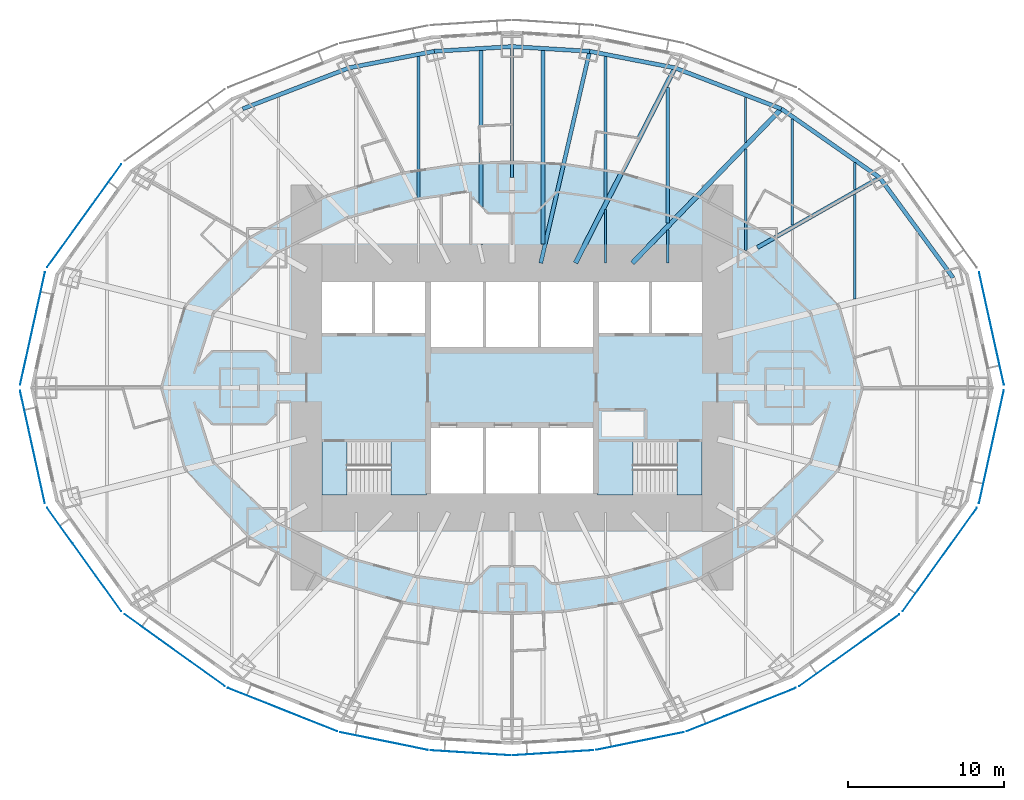
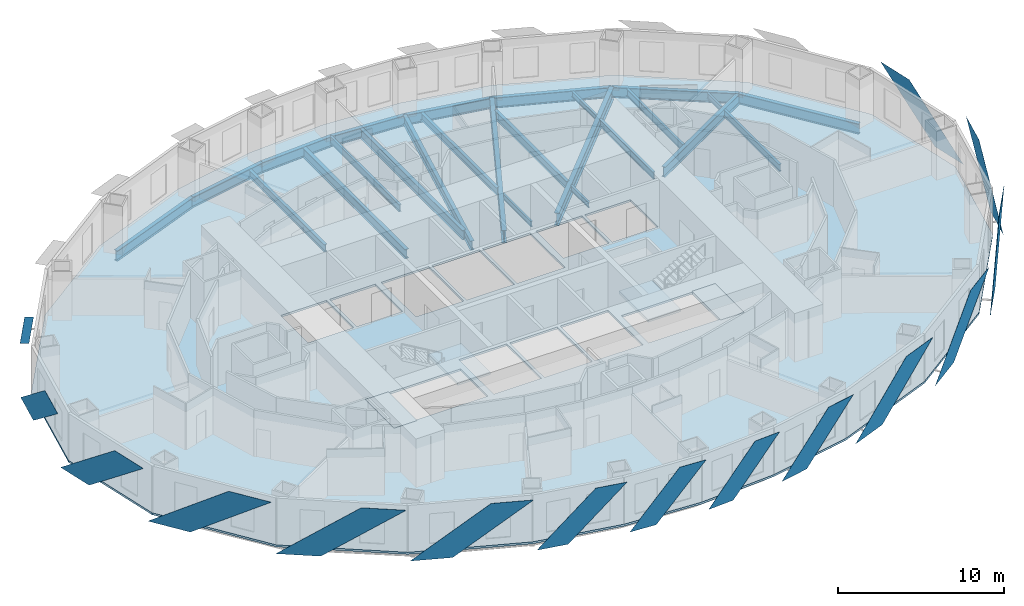
# One storey, part 3 of 15: 25 beams, 15 plates, 5 slabs, 2 elements without a shape of their own.
"""IFC4 building model written with IfcOpenShell, lengths in metres."""

from ifc_helpers import new_model, si_unit, direction, frame, origin, origin_2d, place, context, subcontext, project, spatial, polyline, i_section, outline, extrude, material, layer, layer_set, material_profile, profile_set, type_object, element, aggregate, save


model = new_model("IFC4")

# Units and contexts
model_context = context("Model", 3, precision=1e-05, world=origin(), true_north=direction((0.0, 1.0)))
body_context = subcontext(model_context, "Body", "Model", "MODEL_VIEW")
ifc_project = project(units=[si_unit("LENGTHUNIT", "METRE"), si_unit("AREAUNIT", "SQUARE_METRE"), si_unit("VOLUMEUNIT", "CUBIC_METRE"), si_unit("PLANEANGLEUNIT", "RADIAN"), si_unit("MASSUNIT", "GRAM", prefix="KILO")], contexts=[model_context])

# Site, building, storey
site_placement = place(None, origin())
site = spatial("IfcSite", under=ifc_project, at=site_placement, CompositionType="ELEMENT")
building_placement = place(site_placement, origin())
building = spatial("IfcBuilding", under=site, at=building_placement, Name="Lantaw Convention Tower", CompositionType="ELEMENT")
storey_placement = place(building_placement, frame((0.0, 0.0, 91.0)))
storey = spatial("IfcBuildingStorey", under=building, at=storey_placement, Name="L21", CompositionType="ELEMENT", Elevation=91.0)

# Beams
ifc_material_1 = material(Name="Steel ASTM A992", Category="steel")
ifc_material_profile_1 = material_profile(ifc_material_1, i_section(OverallWidth=0.2666015625, OverallDepth=0.76953125, WebThickness=0.015625, FlangeThickness=0.025390625, FilletRadius=0.0126953125, at=origin_2d()), Name="W30X132")
ifc_profile_set_1 = profile_set([ifc_material_profile_1], Name="Steel ASTM A992")
beam_type_1 = type_object("IfcBeamType", Name="Beam E W30X132", PredefinedType="SPANDREL", material=ifc_profile_set_1)
beam_1_placement = place(storey_placement, frame((28.31787109375, 7.060302734375, -0.534912109375), z_axis=(-0.591270709086, 0.806473154281, 0.0), x_axis=(-0.806473154281, -0.591270709086, 0.0)))
element("IfcBeam", 1, at=beam_1_placement, inside=storey, type_object=beam_type_1, Name="Edge beam 2", PredefinedType="SPANDREL", context=body_context, shape_type="SweptSolid", body=[
    extrude(i_section(OverallWidth=0.2666015625, OverallDepth=0.76953125, WebThickness=0.015625, FlangeThickness=0.025390625, FilletRadius=0.0126953125, at=origin_2d()), origin(), (0.0, 0.0, 1.0), 7.970703125),
])
beam_2_placement = place(storey_placement, frame((23.60498046875, 13.488525390625, -0.534912109375), z_axis=(-0.81942686407, 0.57318375277, 0.0), x_axis=(-0.57318375277, -0.81942686407, 0.0)))
element("IfcBeam", 2, at=beam_2_placement, inside=storey, type_object=beam_type_1, Name="Edge beam 3", PredefinedType="SPANDREL", context=body_context, shape_type="SweptSolid", body=[
    extrude(i_section(OverallWidth=0.2666015625, OverallDepth=0.76953125, WebThickness=0.015625, FlangeThickness=0.025390625, FilletRadius=0.0126953125, at=origin_2d()), origin(), (0.0, 0.0, 1.0), 7.70556640625),
])
beam_3_placement = place(storey_placement, frame((17.290771484375, 17.9052734375, -0.534912109375), z_axis=(-0.933232900641, 0.359271976588, 0.0), x_axis=(-0.359271976588, -0.933232900641, 0.0)))
element("IfcBeam", 3, at=beam_3_placement, inside=storey, type_object=beam_type_1, Name="Edge beam 4", PredefinedType="SPANDREL", context=body_context, shape_type="SweptSolid", body=[
    extrude(i_section(OverallWidth=0.2666015625, OverallDepth=0.76953125, WebThickness=0.015625, FlangeThickness=0.025390625, FilletRadius=0.0126953125, at=origin_2d()), origin(), (0.0, 0.0, 1.0), 7.316650390625),
])
beam_4_placement = place(storey_placement, frame((10.462646484375, 20.533935546875, -0.534912109375), z_axis=(-0.981636565323, 0.190760723474, 0.0), x_axis=(-0.190760723474, -0.981636565323, 0.0)))
element("IfcBeam", 4, at=beam_4_placement, inside=storey, type_object=beam_type_1, Name="Edge beam 5", PredefinedType="SPANDREL", context=body_context, shape_type="SweptSolid", body=[
    extrude(i_section(OverallWidth=0.2666015625, OverallDepth=0.76953125, WebThickness=0.015625, FlangeThickness=0.025390625, FilletRadius=0.0126953125, at=origin_2d()), origin(), (0.0, 0.0, 1.0), 5.578857421875),
])
for number, where, z_axis, x_axis, name in (
    (5, (4.986328125, 21.59814453125, -0.534912109375), (-0.998173858406, 0.060406526096, 0.0), (-0.060406526096, -0.998173858406, 0.0), "Edge beam 6"),
    (6, (0.0, 21.89990234375, -0.534912109375), (-0.998173858406, -0.060406526096, 0.0), (0.060406526096, -0.998173858406, 0.0), "Edge beam 7"),
):
    element("IfcBeam", number, at=place(storey_placement, frame(where, z_axis=z_axis, x_axis=x_axis)), inside=storey, type_object=beam_type_1, Name=name, PredefinedType="SPANDREL", context=body_context, shape_type="SweptSolid", body=[
        extrude(i_section(OverallWidth=0.2666015625, OverallDepth=0.76953125, WebThickness=0.015625, FlangeThickness=0.025390625, FilletRadius=0.0126953125, at=origin_2d()), origin(), (0.0, 0.0, 1.0), 4.995361328125),
    ])
beam_5_placement = place(storey_placement, frame((-4.986328125, 21.59814453125, -0.534912109375), z_axis=(-0.981636565323, -0.190760723474, 0.0), x_axis=(0.190760723474, -0.981636565323, 0.0)))
element("IfcBeam", 7, at=beam_5_placement, inside=storey, type_object=beam_type_1, Name="Edge beam 8", PredefinedType="SPANDREL", context=body_context, shape_type="SweptSolid", body=[
    extrude(i_section(OverallWidth=0.2666015625, OverallDepth=0.76953125, WebThickness=0.015625, FlangeThickness=0.025390625, FilletRadius=0.0126953125, at=origin_2d()), origin(), (0.0, 0.0, 1.0), 5.578857421875),
])
beam_6_placement = place(storey_placement, frame((-10.462646484375, 20.533935546875, -0.534912109375), z_axis=(-0.933232900641, -0.359271976588, 0.0), x_axis=(0.359271976588, -0.933232900641, 0.0)))
element("IfcBeam", 8, at=beam_6_placement, inside=storey, type_object=beam_type_1, Name="Edge beam 9", PredefinedType="SPANDREL", context=body_context, shape_type="SweptSolid", body=[
    extrude(i_section(OverallWidth=0.2666015625, OverallDepth=0.76953125, WebThickness=0.015625, FlangeThickness=0.025390625, FilletRadius=0.0126953125, at=origin_2d()), origin(), (0.0, 0.0, 1.0), 7.316650390625),
])
ifc_material_profile_2 = material_profile(ifc_material_1, i_section(OverallWidth=0.1650390625, OverallDepth=0.52587890625, WebThickness=0.0087890625, FlangeThickness=0.011474609375, FilletRadius=0.0126953125, at=origin_2d()), Name="W21X44")
ifc_profile_set_2 = profile_set([ifc_material_profile_2], Name="Steel ASTM A992")
beam_type_2 = type_object("IfcBeamType", Name="Beam G W21X44", PredefinedType="BEAM", material=ifc_profile_set_2)
beam_7_placement = place(storey_placement, frame((0.0, 13.5, -0.412841796875), z_axis=(0.0, 1.0, 0.0), x_axis=(-1.0, 0.0, 0.0)))
element("IfcBeam", 9, at=beam_7_placement, inside=storey, type_object=beam_type_2, Name="Floor girder on ray 7", PredefinedType="BEAM", context=body_context, shape_type="SweptSolid", body=[
    extrude(i_section(OverallWidth=0.1650390625, OverallDepth=0.52587890625, WebThickness=0.0087890625, FlangeThickness=0.011474609375, FilletRadius=0.0126953125, at=origin_2d()), origin(), (0.0, 0.0, 1.0), 8.39990234375),
])
ifc_material_profile_3 = material_profile(ifc_material_1, i_section(OverallWidth=0.25390625, OverallDepth=0.683349609375, WebThickness=0.012451171875, FlangeThickness=0.01904296875, FilletRadius=0.01513671875, at=origin_2d()), Name="W27X94")
ifc_profile_set_3 = profile_set([ifc_material_profile_3], Name="Steel ASTM A992")
beam_type_3 = type_object("IfcBeamType", Name="Beam G W27X94", PredefinedType="BEAM", material=ifc_profile_set_3)
beam_8_placement = place(storey_placement, frame((1.846923828125, 8.0, -0.49169921875), z_axis=(0.224952773175, 0.97436966796, 0.0), x_axis=(-0.97436966796, 0.224952773175, 0.0)))
element("IfcBeam", 10, at=beam_8_placement, inside=storey, type_object=beam_type_3, Name="Floor girder on ray 6", PredefinedType="BEAM", context=body_context, shape_type="SweptSolid", body=[
    extrude(i_section(OverallWidth=0.25390625, OverallDepth=0.683349609375, WebThickness=0.012451171875, FlangeThickness=0.01904296875, FilletRadius=0.01513671875, at=origin_2d()), origin(), (0.0, 0.0, 1.0), 13.955810546875),
])
ifc_material_profile_4 = material_profile(ifc_material_1, i_section(OverallWidth=0.2666015625, OverallDepth=0.7568359375, WebThickness=0.013916015625, FlangeThickness=0.019287109375, FilletRadius=0.0126953125, at=origin_2d()), Name="W30X108")
ifc_profile_set_4 = profile_set([ifc_material_profile_4], Name="Steel ASTM A992")
beam_type_4 = type_object("IfcBeamType", Name="Beam G W30X108", PredefinedType="BEAM", material=ifc_profile_set_4)
beam_9_placement = place(storey_placement, frame((15.75, 9.0, -0.528564453125), z_axis=(0.868244802791, 0.496136032179, 0.0), x_axis=(-0.496136032179, 0.868244802791, 0.0)))
element("IfcBeam", 11, at=beam_9_placement, inside=storey, type_object=beam_type_4, Name="Floor girder on ray 3", PredefinedType="BEAM", context=body_context, shape_type="SweptSolid", body=[
    extrude(i_section(OverallWidth=0.2666015625, OverallDepth=0.7568359375, WebThickness=0.013916015625, FlangeThickness=0.019287109375, FilletRadius=0.0126953125, at=origin_2d()), origin(), (0.0, 0.0, 1.0), 9.046875),
])
ifc_material_profile_5 = material_profile(ifc_material_1, i_section(OverallWidth=0.307373046875, OverallDepth=0.922119140625, WebThickness=0.018310546875, FlangeThickness=0.030029296875, FilletRadius=0.0126953125, at=origin_2d()), Name="W36X182")
ifc_profile_set_5 = profile_set([ifc_material_profile_5], Name="Steel ASTM A992")
beam_type_5 = type_object("IfcBeamType", Name="Beam G W36X182", PredefinedType="BEAM", material=ifc_profile_set_5)
beam_10_placement = place(storey_placement, frame((7.7255859375, 8.0, -0.611083984375), z_axis=(0.694649884291, 0.719347995239, 0.0), x_axis=(-0.719347995239, 0.694649884291, 0.0)))
element("IfcBeam", 12, at=beam_10_placement, inside=storey, type_object=beam_type_5, Name="Floor girder on ray 4", PredefinedType="BEAM", context=body_context, shape_type="SweptSolid", body=[
    extrude(i_section(OverallWidth=0.307373046875, OverallDepth=0.922119140625, WebThickness=0.018310546875, FlangeThickness=0.030029296875, FilletRadius=0.0126953125, at=origin_2d()), origin(), (0.0, 0.0, 1.0), 13.769775390625),
])
beam_11_placement = place(storey_placement, frame((4.076171875, 8.0, -0.611083984375), z_axis=(0.453997016122, 0.891003203896, 0.0), x_axis=(-0.891003203896, 0.453997016122, 0.0)))
element("IfcBeam", 13, at=beam_11_placement, inside=storey, type_object=beam_type_5, Name="Floor girder on ray 5", PredefinedType="BEAM", context=body_context, shape_type="SweptSolid", body=[
    extrude(i_section(OverallWidth=0.307373046875, OverallDepth=0.922119140625, WebThickness=0.018310546875, FlangeThickness=0.030029296875, FilletRadius=0.0126953125, at=origin_2d()), origin(), (0.0, 0.0, 1.0), 14.067138671875),
])
ifc_material_profile_6 = material_profile(ifc_material_1, i_section(OverallWidth=0.140380859375, OverallDepth=0.40380859375, WebThickness=0.007080078125, FlangeThickness=0.01123046875, FilletRadius=0.01025390625, at=origin_2d()), Name="W16X31")
ifc_profile_set_6 = profile_set([ifc_material_profile_6], Name="Steel ASTM A992")
beam_type_6 = type_object("IfcBeamType", Name="Beam J W16X31", PredefinedType="JOIST", material=ifc_profile_set_6)
beam_12_placement = place(storey_placement, frame((6.0, 8.0, -0.35205078125), z_axis=(0.0, 1.0, 0.0), x_axis=(-1.0, 0.0, 0.0)))
element("IfcBeam", 14, at=beam_12_placement, inside=storey, type_object=beam_type_6, Name="Floor joist", PredefinedType="JOIST", context=body_context, shape_type="SweptSolid", body=[
    extrude(i_section(OverallWidth=0.140380859375, OverallDepth=0.40380859375, WebThickness=0.007080078125, FlangeThickness=0.01123046875, FilletRadius=0.01025390625, at=origin_2d()), origin(), (0.0, 0.0, 1.0), 3.437255859375),
])
beam_13_placement = place(storey_placement, frame((10.0, 8.0, -0.35205078125), z_axis=(0.0, 1.0, 0.0), x_axis=(-1.0, 0.0, 0.0)))
element("IfcBeam", 15, at=beam_13_placement, inside=storey, type_object=beam_type_6, Name="Floor joist", PredefinedType="JOIST", context=body_context, shape_type="SweptSolid", body=[
    extrude(i_section(OverallWidth=0.140380859375, OverallDepth=0.40380859375, WebThickness=0.007080078125, FlangeThickness=0.01123046875, FilletRadius=0.01025390625, at=origin_2d()), origin(), (0.0, 0.0, 1.0), 2.134033203125),
])
beam_14_placement = place(storey_placement, frame((15.0, 15.754150390625, -0.35205078125), z_axis=(0.0, 1.0, 0.0), x_axis=(-1.0, 0.0, 0.0)))
element("IfcBeam", 16, at=beam_14_placement, inside=storey, type_object=beam_type_6, Name="Floor joist", PredefinedType="JOIST", context=body_context, shape_type="SweptSolid", body=[
    extrude(i_section(OverallWidth=0.140380859375, OverallDepth=0.40380859375, WebThickness=0.007080078125, FlangeThickness=0.01123046875, FilletRadius=0.01025390625, at=origin_2d()), origin(), (0.0, 0.0, 1.0), 2.89013671875),
])
beam_15_placement = place(storey_placement, frame((22.0, 12.72509765625, -0.35205078125), z_axis=(0.0, 1.0, 0.0), x_axis=(-1.0, 0.0, 0.0)))
element("IfcBeam", 17, at=beam_15_placement, inside=storey, type_object=beam_type_6, Name="Floor joist", PredefinedType="JOIST", context=body_context, shape_type="SweptSolid", body=[
    extrude(i_section(OverallWidth=0.140380859375, OverallDepth=0.40380859375, WebThickness=0.007080078125, FlangeThickness=0.01123046875, FilletRadius=0.01025390625, at=origin_2d()), origin(), (0.0, 0.0, 1.0), 1.723388671875),
])
ifc_material_profile_7 = material_profile(ifc_material_1, i_section(OverallWidth=0.1650390625, OverallDepth=0.52587890625, WebThickness=0.0087890625, FlangeThickness=0.011474609375, FilletRadius=0.0126953125, at=origin_2d()), Name="W21X44")
ifc_profile_set_7 = profile_set([ifc_material_profile_7], Name="Steel ASTM A992")
beam_type_7 = type_object("IfcBeamType", Name="Beam J W21X44", PredefinedType="JOIST", material=ifc_profile_set_7)
beam_16_placement = place(storey_placement, frame((15.0, 8.803955078125, -0.412841796875), z_axis=(0.0, 1.0, 0.0), x_axis=(-1.0, 0.0, 0.0)))
element("IfcBeam", 18, at=beam_16_placement, inside=storey, type_object=beam_type_7, Name="Floor joist", PredefinedType="JOIST", context=body_context, shape_type="SweptSolid", body=[
    extrude(i_section(OverallWidth=0.1650390625, OverallDepth=0.52587890625, WebThickness=0.0087890625, FlangeThickness=0.011474609375, FilletRadius=0.0126953125, at=origin_2d()), origin(), (0.0, 0.0, 1.0), 6.5078125),
])
beam_17_placement = place(storey_placement, frame((18.0, 10.439208984375, -0.412841796875), z_axis=(0.0, 1.0, 0.0), x_axis=(-1.0, 0.0, 0.0)))
element("IfcBeam", 19, at=beam_17_placement, inside=storey, type_object=beam_type_7, Name="Floor joist", PredefinedType="JOIST", context=body_context, shape_type="SweptSolid", body=[
    extrude(i_section(OverallWidth=0.1650390625, OverallDepth=0.52587890625, WebThickness=0.0087890625, FlangeThickness=0.011474609375, FilletRadius=0.0126953125, at=origin_2d()), origin(), (0.0, 0.0, 1.0), 6.80712890625),
])
beam_18_placement = place(storey_placement, frame((22.0, 5.693359375, -0.412841796875), z_axis=(0.0, 1.0, 0.0), x_axis=(-1.0, 0.0, 0.0)))
element("IfcBeam", 20, at=beam_18_placement, inside=storey, type_object=beam_type_7, Name="Floor joist", PredefinedType="JOIST", context=body_context, shape_type="SweptSolid", body=[
    extrude(i_section(OverallWidth=0.1650390625, OverallDepth=0.52587890625, WebThickness=0.0087890625, FlangeThickness=0.011474609375, FilletRadius=0.0126953125, at=origin_2d()), origin(), (0.0, 0.0, 1.0), 6.724609375),
])
ifc_material_profile_8 = material_profile(ifc_material_1, i_section(OverallWidth=0.2099609375, OverallDepth=0.535888671875, WebThickness=0.010986328125, FlangeThickness=0.017333984375, FilletRadius=0.012939453125, at=origin_2d()), Name="W21X68")
ifc_profile_set_8 = profile_set([ifc_material_profile_8], Name="Steel ASTM A992")
beam_type_8 = type_object("IfcBeamType", Name="Beam J W21X68", PredefinedType="JOIST", material=ifc_profile_set_8)
for number, where, z_axis, x_axis, name in (
    (21, (-6.0, 12.1142578125, -0.41796875), (0.0, 1.0, 0.0), (-1.0, 0.0, 0.0), "Floor joist"),
    (22, (6.0, 12.1142578125, -0.41796875), (0.0, 1.0, 0.0), (-1.0, 0.0, 0.0), "Floor joist"),
):
    element("IfcBeam", number, at=place(storey_placement, frame(where, z_axis=z_axis, x_axis=x_axis)), inside=storey, type_object=beam_type_8, Name=name, PredefinedType="JOIST", context=body_context, shape_type="SweptSolid", body=[
        extrude(i_section(OverallWidth=0.2099609375, OverallDepth=0.535888671875, WebThickness=0.010986328125, FlangeThickness=0.017333984375, FilletRadius=0.012939453125, at=origin_2d()), origin(), (0.0, 0.0, 1.0), 9.15087890625),
    ])
ifc_material_profile_9 = material_profile(ifc_material_1, i_section(OverallWidth=0.227783203125, OverallDepth=0.60205078125, WebThickness=0.010498046875, FlangeThickness=0.014892578125, FilletRadius=0.012939453125, at=origin_2d()), Name="W24X68")
ifc_profile_set_9 = profile_set([ifc_material_profile_9], Name="Steel ASTM A992")
beam_type_9 = type_object("IfcBeamType", Name="Beam J W24X68", PredefinedType="JOIST", material=ifc_profile_set_9)
beam_19_placement = place(storey_placement, frame((10.0, 10.576416015625, -0.450927734375), z_axis=(0.0, 1.0, 0.0), x_axis=(-1.0, 0.0, 0.0)))
element("IfcBeam", 23, at=beam_19_placement, inside=storey, type_object=beam_type_9, Name="Floor joist", PredefinedType="JOIST", context=body_context, shape_type="SweptSolid", body=[
    extrude(i_section(OverallWidth=0.227783203125, OverallDepth=0.60205078125, WebThickness=0.010498046875, FlangeThickness=0.014892578125, FilletRadius=0.012939453125, at=origin_2d()), origin(), (0.0, 0.0, 1.0), 8.711181640625),
])
ifc_material_profile_10 = material_profile(ifc_material_1, i_section(OverallWidth=0.25390625, OverallDepth=0.700927734375, WebThickness=0.015380859375, FlangeThickness=0.02783203125, FilletRadius=0.01513671875, at=origin_2d()), Name="W27X129")
ifc_profile_set_10 = profile_set([ifc_material_profile_10], Name="Steel ASTM A992")
beam_type_10 = type_object("IfcBeamType", Name="Beam J W27X129", PredefinedType="JOIST", material=ifc_profile_set_10)
for number, where, z_axis, x_axis, name in (
    (24, (-2.0, 9.2275390625, -0.50048828125), (0.0, 1.0, 0.0), (-1.0, 0.0, 0.0), "Floor joist"),
    (25, (2.0, 9.2275390625, -0.50048828125), (0.0, 1.0, 0.0), (-1.0, 0.0, 0.0), "Floor joist"),
):
    element("IfcBeam", number, at=place(storey_placement, frame(where, z_axis=z_axis, x_axis=x_axis)), inside=storey, type_object=beam_type_10, Name=name, PredefinedType="JOIST", context=body_context, shape_type="SweptSolid", body=[
        extrude(i_section(OverallWidth=0.25390625, OverallDepth=0.700927734375, WebThickness=0.015380859375, FlangeThickness=0.02783203125, FilletRadius=0.01513671875, at=origin_2d()), origin(), (0.0, 0.0, 1.0), 12.417724609375),
    ])

# Slab
ifc_material_2 = material(Name="Concrete C35/45", Category="concrete")
ifc_layer_1 = layer(ifc_material_2, 0.14990234375)
ifc_layer_set_1 = layer_set([ifc_layer_1], Name="Floor slab 150")
slab_type_1 = type_object("IfcSlabType", Name="Floor slab 150", PredefinedType="FLOOR", material=ifc_layer_set_1)
slab_1_placement = place(storey_placement, frame((0.0, 0.0, -0.14990234375)))
element("IfcSlab", 26, at=slab_1_placement, inside=storey, type_object=slab_type_1, Name="L21 floor slab", PredefinedType="FLOOR", context=body_context, shape_type="SweptSolid", body=[
    extrude(outline(polyline([(29.315185546875, -7.29541015625), (30.923095703125, 0.0), (29.315185546875, 7.29541015625), (24.50634765625, 13.98046875), (18.018798828125, 18.630126953125), (10.9404296875, 21.44189453125), (5.223876953125, 22.59521484375), (0.0, 22.9248046875), (-5.223876953125, 22.59521484375), (-10.9404296875, 21.44189453125), (-18.018798828125, 18.630126953125), (-24.50634765625, 13.98046875), (-29.315185546875, 7.29541015625), (-30.923095703125, 0.0), (-29.315185546875, -7.29541015625), (-24.50634765625, -13.98046875), (-18.018798828125, -18.630126953125), (-10.9404296875, -21.44189453125), (-5.223876953125, -22.59521484375), (0.0, -22.9248046875), (5.223876953125, -22.59521484375), (10.9404296875, -21.44189453125), (18.018798828125, -18.630126953125), (24.50634765625, -13.98046875), (29.315185546875, -7.29541015625)]), holes=[polyline([(-5.60009765625, -3.5), (-12.199951171875, -3.5), (-12.199951171875, -6.800048828125), (-5.60009765625, -6.800048828125), (-5.60009765625, -3.5)]), polyline([(-1.86669921875, -6.800048828125), (-1.86669921875, -2.60009765625), (-5.199951171875, -2.60009765625), (-5.199951171875, -6.800048828125), (-1.86669921875, -6.800048828125)]), polyline([(-1.86669921875, 2.60009765625), (-1.86669921875, 6.800048828125), (-5.199951171875, 6.800048828125), (-5.199951171875, 2.60009765625), (-1.86669921875, 2.60009765625)]), polyline([(1.666748046875, 6.800048828125), (-1.666748046875, 6.800048828125), (-1.666748046875, 2.60009765625), (1.666748046875, 2.60009765625), (1.666748046875, 6.800048828125)]), polyline([(-9.0, 3.5), (-9.0, 6.800048828125), (-12.199951171875, 6.800048828125), (-12.199951171875, 3.5), (-9.0, 3.5)]), polyline([(-5.60009765625, 3.5), (-5.60009765625, 6.800048828125), (-8.800048828125, 6.800048828125), (-8.800048828125, 3.5), (-5.60009765625, 3.5)]), polyline([(12.199951171875, -3.5), (5.60009765625, -3.5), (5.60009765625, -6.800048828125), (12.199951171875, -6.800048828125), (12.199951171875, -3.5)]), polyline([(1.666748046875, -6.800048828125), (1.666748046875, -2.60009765625), (-1.666748046875, -2.60009765625), (-1.666748046875, -6.800048828125), (1.666748046875, -6.800048828125)]), polyline([(5.199951171875, -6.800048828125), (5.199951171875, -2.60009765625), (1.86669921875, -2.60009765625), (1.86669921875, -6.800048828125), (5.199951171875, -6.800048828125)]), polyline([(5.199951171875, 6.800048828125), (1.86669921875, 6.800048828125), (1.86669921875, 2.60009765625), (5.199951171875, 2.60009765625), (5.199951171875, 6.800048828125)]), polyline([(8.800048828125, 3.5), (8.800048828125, 6.800048828125), (5.60009765625, 6.800048828125), (5.60009765625, 3.5), (8.800048828125, 3.5)]), polyline([(12.199951171875, 3.5), (12.199951171875, 6.800048828125), (9.0, 6.800048828125), (9.0, 3.5), (12.199951171875, 3.5)])]), origin(), (0.0, 0.0, 1.0), 0.14990234375),
])

# Plates
ifc_material_3 = material(Name="Perforated aluminium sheet, pale silver finish", Category="aluminium")
ifc_layer_2 = layer(ifc_material_3, 0.006103515625)
ifc_layer_set_2 = layer_set([ifc_layer_2], Name="Perforated aluminium solar SCREEN panel")
plate_type = type_object("IfcPlateType", Name="Perforated aluminium solar SCREEN panel", PredefinedType="SHEET", material=ifc_layer_set_2)
plate_1_placement = place(storey_placement, frame((31.5810546875, 0.17919921875, -0.175048828125), z_axis=(-0.97655943558, -0.215247921852, 3.0295023e-05), x_axis=(-0.215247921951, 0.976559436028, 3.12e-10)))
element("IfcPlate", 27, at=plate_1_placement, inside=storey, type_object=plate_type, Name="Solar SCREEN panel", PredefinedType="SHEET", context=body_context, shape_type="SweptSolid", body=[
    extrude(outline(polyline([(0.0, 0.0), (2.551002212329069, 3.3881317890172014e-21), (7.402498252985418, -3.739990233781388), (4.851734458487411, -3.7399902353733405), (0.0, 0.0)])), origin(), (0.0, 0.0, -1.0), 0.006103515625),
])
plate_2_placement = place(storey_placement, frame((-25.0810546875, 14.34765625, -0.175048828125), z_axis=(0.811791382613, -0.583947558463, 9.019268e-06), x_axis=(-0.583947558486, -0.811791382646, 0.0)))
element("IfcPlate", 28, at=plate_2_placement, inside=storey, type_object=plate_type, Name="Solar SCREEN panel", PredefinedType="SHEET", context=body_context, shape_type="SweptSolid", body=[
    extrude(outline(polyline([(0.0, 0.0), (2.809541672291133, 0.0), (8.163093158837512, -3.739990234527119), (5.353551486546379, -3.739990234527119), (0.0, 0.0)])), origin(), (0.0, 0.0, -1.0), 0.006103515625),
])
plate_3_placement = place(storey_placement, frame((-29.98779296875, 7.408203125, -0.175048828125), z_axis=(-0.97655943558, 0.215247921852, 3.0295023e-05), x_axis=(-0.215247921951, -0.976559436028, -3.12e-10)))
element("IfcPlate", 29, at=plate_3_placement, inside=storey, type_object=plate_type, Name="Solar SCREEN panel", PredefinedType="SHEET", context=body_context, shape_type="SweptSolid", body=[
    extrude(outline(polyline([(0.0, 0.0), (2.5507637944980077, 6.776263578034403e-21), (7.402498250651261, 3.7399902384013473), (4.851496038322192, 3.739990236809246), (0.0, 0.0)])), origin(), (0.0, 0.0, -1.0), 0.006103515625),
])
plate_4_placement = place(storey_placement, frame((-31.5810546875, -0.17919921875, -0.175048828125), z_axis=(0.97655943558, 0.215247921852, 3.0295023e-05), x_axis=(0.215247921951, -0.976559436028, 3.12e-10)))
element("IfcPlate", 30, at=plate_4_placement, inside=storey, type_object=plate_type, Name="Solar SCREEN panel", PredefinedType="SHEET", context=body_context, shape_type="SweptSolid", body=[
    extrude(outline(polyline([(0.0, 0.0), (2.551002212329069, 3.3881317890172014e-21), (7.402498252985418, -3.739990233781388), (4.851734458487411, -3.7399902353733405), (0.0, 0.0)])), origin(), (0.0, 0.0, -1.0), 0.006103515625),
])
plate_5_placement = place(storey_placement, frame((-29.847900390625, -7.720947265625, -0.175048828125), z_axis=(-0.811791382613, -0.583947558463, 9.019268e-06), x_axis=(0.583947558486, -0.811791382646, 0.0)))
element("IfcPlate", 31, at=plate_5_placement, inside=storey, type_object=plate_type, Name="Solar SCREEN panel", PredefinedType="SHEET", context=body_context, shape_type="SweptSolid", body=[
    extrude(outline(polyline([(0.0, 0.0), (2.809541672291133, 0.0), (8.163093158837512, 3.739990234527119), (5.353551486546379, 3.739990234527119), (0.0, 0.0)])), origin(), (0.0, 0.0, -1.0), 0.006103515625),
])
plate_6_placement = place(storey_placement, frame((-24.872314453125, -14.555908203125, -0.175048828125), z_axis=(-0.582561421998, -0.812786681331, 1.5819417e-05), x_axis=(0.812786681433, -0.582561422071, 0.0)))
element("IfcPlate", 32, at=plate_6_placement, inside=storey, type_object=plate_type, Name="Solar SCREEN panel", PredefinedType="SHEET", context=body_context, shape_type="SweptSolid", body=[
    extrude(outline(polyline([(0.0, 0.0), (2.721095180812288, 3.3881317890172014e-21), (7.903118572410756, 3.739990234842974), (5.182023391598468, 3.739990234842974), (0.0, 0.0)])), origin(), (0.0, 0.0, -1.0), 0.006103515625),
])
plate_7_placement = place(storey_placement, frame((-18.232177734375, -19.278076171875, -0.175048828125), z_axis=(0.369183532846, 0.929356508016, 9.163296e-06), x_axis=(0.929356508055, -0.369183532862, 0.0)))
element("IfcPlate", 33, at=plate_7_placement, inside=storey, type_object=plate_type, Name="Solar SCREEN panel", PredefinedType="SHEET", context=body_context, shape_type="SweptSolid", body=[
    extrude(outline(polyline([(0.0, 0.0), (2.594936467166582, -1.6940658945086007e-21), (7.5321069917580825, -3.739990234532016), (4.937170524591499, -3.739990234532016), (0.0, 0.0)])), origin(), (0.0, 0.0, -1.0), 0.006103515625),
])
plate_8_placement = place(storey_placement, frame((-11.03271484375, -22.117919921875, -0.175048828125), z_axis=(0.197781876197, 0.980246055561, 2.418535e-06), x_axis=(0.980246055563, -0.197781876198, 1.46e-10)))
element("IfcPlate", 34, at=plate_8_placement, inside=storey, type_object=plate_type, Name="Solar SCREEN panel", PredefinedType="SHEET", context=body_context, shape_type="SweptSolid", body=[
    extrude(outline(polyline([(0.0, 0.0), (1.9867801772236329, -3.1763735522036263e-22), (5.743587245978565, -3.7399902335493134), (3.7568553553458006, -3.739990234128105), (0.0, 0.0)])), origin(), (0.0, 0.0, -1.0), 0.006103515625),
])
plate_9_placement = place(storey_placement, frame((-5.221923828125, -23.27783203125, -0.175048828125), z_axis=(0.062923905251, 0.998018327468, 1.3605496e-05), x_axis=(0.998018327561, -0.062923905257, 9.3e-10)))
element("IfcPlate", 35, at=plate_9_placement, inside=storey, type_object=plate_type, Name="Solar SCREEN panel", PredefinedType="SHEET", context=body_context, shape_type="SweptSolid", body=[
    extrude(outline(polyline([(0.0, 0.0), (1.7828375409377817, -2.117582368135751e-22), (5.143985963027618, -3.739990229938699), (3.3611637843713935, -3.7399902332537565), (0.0, 0.0)])), origin(), (0.0, 0.0, -1.0), 0.006103515625),
])
plate_10_placement = place(storey_placement, frame((0.088134765625, -23.6015625, -0.175048828125), z_axis=(0.062923905251, -0.998018327468, 1.3605496e-05), x_axis=(0.998018327561, 0.062923905257, -9.3e-10)))
element("IfcPlate", 36, at=plate_10_placement, inside=storey, type_object=plate_type, Name="Solar SCREEN panel", PredefinedType="SHEET", context=body_context, shape_type="SweptSolid", body=[
    extrude(outline(polyline([(0.0, 0.0), (1.782822178656225, -2.117582368135751e-22), (5.143985956073316, 3.7399902395036517), (3.3611484151355353, 3.7399902361885653), (0.0, 0.0)])), origin(), (0.0, 0.0, -1.0), 0.006103515625),
])
plate_11_placement = place(storey_placement, frame((5.402587890625, -23.25390625, -0.175048828125), z_axis=(0.197781876197, -0.980246055561, 2.418535e-06), x_axis=(0.980246055563, 0.197781876198, -1.46e-10)))
element("IfcPlate", 37, at=plate_11_placement, inside=storey, type_object=plate_type, Name="Solar SCREEN panel", PredefinedType="SHEET", context=body_context, shape_type="SweptSolid", body=[
    extrude(outline(polyline([(0.0, 0.0), (1.9867318906327642, 1.0587911840678754e-22), (5.743587244888999, 3.7399902352225842), (3.7568070676653664, 3.7399902346437783), (0.0, 0.0)])), origin(), (0.0, 0.0, -1.0), 0.006103515625),
])
plate_12_placement = place(storey_placement, frame((11.232177734375, -22.058837890625, -0.175048828125), z_axis=(0.369183532846, -0.929356508016, 9.163296e-06), x_axis=(0.929356508055, 0.369183532862, 0.0)))
element("IfcPlate", 38, at=plate_12_placement, inside=storey, type_object=plate_type, Name="Solar SCREEN panel", PredefinedType="SHEET", context=body_context, shape_type="SweptSolid", body=[
    extrude(outline(polyline([(0.0, 0.0), (2.594936467166582, 1.6940658945086007e-21), (7.5321069917580825, 3.739990234532016), (4.937170524591499, 3.739990234532016), (0.0, 0.0)])), origin(), (0.0, 0.0, -1.0), 0.006103515625),
])
plate_13_placement = place(storey_placement, frame((18.44873046875, -19.159912109375, -0.175048828125), z_axis=(-0.582561421998, 0.812786681331, 1.5819417e-05), x_axis=(0.812786681433, 0.582561422071, 0.0)))
element("IfcPlate", 39, at=plate_13_placement, inside=storey, type_object=plate_type, Name="Solar SCREEN panel", PredefinedType="SHEET", context=body_context, shape_type="SweptSolid", body=[
    extrude(outline(polyline([(0.0, 0.0), (2.721095180812288, -3.3881317890172014e-21), (7.903118572410756, -3.739990234842974), (5.182023391598468, -3.739990234842974), (0.0, 0.0)])), origin(), (0.0, 0.0, -1.0), 0.006103515625),
])
plate_14_placement = place(storey_placement, frame((25.0810546875, -14.34765625, -0.175048828125), z_axis=(-0.811791382613, 0.583947558463, 9.019268e-06), x_axis=(0.583947558486, 0.811791382646, 0.0)))
element("IfcPlate", 40, at=plate_14_placement, inside=storey, type_object=plate_type, Name="Solar SCREEN panel", PredefinedType="SHEET", context=body_context, shape_type="SweptSolid", body=[
    extrude(outline(polyline([(0.0, 0.0), (2.809541672291133, 0.0), (8.163093158837512, -3.739990234527119), (5.353551486546379, -3.739990234527119), (0.0, 0.0)])), origin(), (0.0, 0.0, -1.0), 0.006103515625),
])
plate_15_placement = place(storey_placement, frame((29.98779296875, -7.408203125, -0.175048828125), z_axis=(0.97655943558, -0.215247921852, 3.0295023e-05), x_axis=(0.215247921951, 0.976559436028, -3.12e-10)))
element("IfcPlate", 41, at=plate_15_placement, inside=storey, type_object=plate_type, Name="Solar SCREEN panel", PredefinedType="SHEET", context=body_context, shape_type="SweptSolid", body=[
    extrude(outline(polyline([(0.0, 0.0), (2.5507637944980077, 6.776263578034403e-21), (7.402498250651261, 3.7399902384013473), (4.851496038322192, 3.739990236809246), (0.0, 0.0)])), origin(), (0.0, 0.0, -1.0), 0.006103515625),
])

# Stair, slabs
stair_type = type_object("IfcStairType", Name="Exit stair 1500 riser 163.64 in 2 flights", PredefinedType="HALF_TURN_STAIR", material=ifc_material_2)
stair_1_placement = place(storey_placement, origin())
stair_1 = element("IfcStair", 42, at=stair_1_placement, inside=storey, type_object=stair_type, Name="Exit stair S1 L21", PredefinedType="HALF_TURN_STAIR")
ifc_layer_3 = layer(ifc_material_2, 0.199951171875)
ifc_layer_set_3 = layer_set([ifc_layer_3], Name="Stair landing 200")
slab_type_2 = type_object("IfcSlabType", Name="Stair landing 200", PredefinedType="LANDING", material=ifc_layer_set_3)
slab_2_placement = place(storey_placement, frame((0.0, 0.0, -0.199951171875)))
slab_2 = element("IfcSlab", 43, at=slab_2_placement, type_object=slab_type_2, Name="S1 landing 1", PredefinedType="LANDING", context=body_context, shape_type="SweptSolid", body=[
    extrude(outline(polyline([(-12.199951171875, -6.89990234375), (-10.580078125, -6.89990234375), (-10.580078125, -3.39990234375), (-12.199951171875, -3.39990234375), (-12.199951171875, -6.89990234375)])), origin(), (0.0, 0.0, 1.0), 0.199951171875),
])
slab_3_placement = place(storey_placement, frame((0.0, 0.0, 1.60009765625)))
slab_3 = element("IfcSlab", 44, at=slab_3_placement, type_object=slab_type_2, Name="S1 landing 2", PredefinedType="LANDING", context=body_context, shape_type="SweptSolid", body=[
    extrude(outline(polyline([(-7.780029296875, -6.89990234375), (-5.5, -6.89990234375), (-5.5, -3.39990234375), (-7.780029296875, -3.39990234375), (-7.780029296875, -6.89990234375)])), origin(), (0.0, 0.0, 1.0), 0.199951171875),
])
aggregate(stair_1, [slab_2, slab_3])

stair_2_placement = place(storey_placement, origin())
stair_2 = element("IfcStair", 45, at=stair_2_placement, inside=storey, type_object=stair_type, Name="Exit stair S2 L21", PredefinedType="HALF_TURN_STAIR")
slab_4_placement = place(storey_placement, frame((0.0, 0.0, -0.199951171875)))
slab_4 = element("IfcSlab", 46, at=slab_4_placement, type_object=slab_type_2, Name="S2 landing 1", PredefinedType="LANDING", context=body_context, shape_type="SweptSolid", body=[
    extrude(outline(polyline([(10.580078125, -6.89990234375), (12.199951171875, -6.89990234375), (12.199951171875, -3.39990234375), (10.580078125, -3.39990234375), (10.580078125, -6.89990234375)])), origin(), (0.0, 0.0, 1.0), 0.199951171875),
])
slab_5_placement = place(storey_placement, frame((0.0, 0.0, 1.60009765625)))
slab_5 = element("IfcSlab", 47, at=slab_5_placement, type_object=slab_type_2, Name="S2 landing 2", PredefinedType="LANDING", context=body_context, shape_type="SweptSolid", body=[
    extrude(outline(polyline([(5.5, -6.89990234375), (7.780029296875, -6.89990234375), (7.780029296875, -3.39990234375), (5.5, -3.39990234375), (5.5, -6.89990234375)])), origin(), (0.0, 0.0, 1.0), 0.199951171875),
])
aggregate(stair_2, [slab_4, slab_5])

save(model, "model.ifc")
